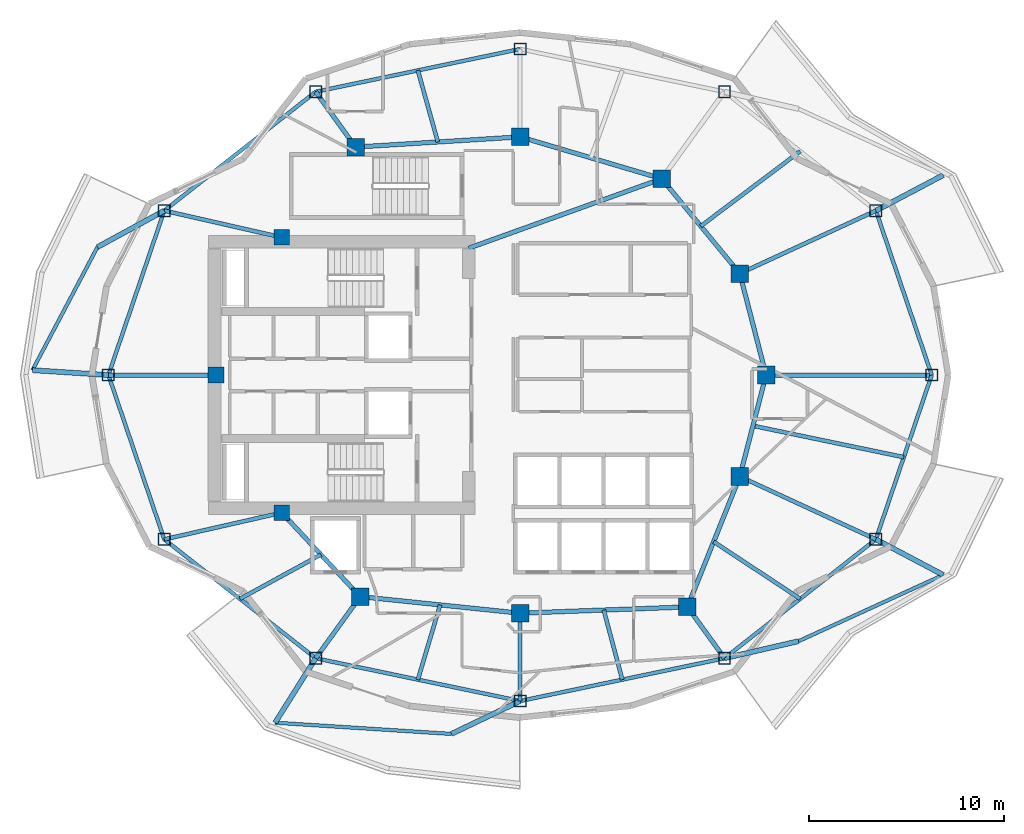
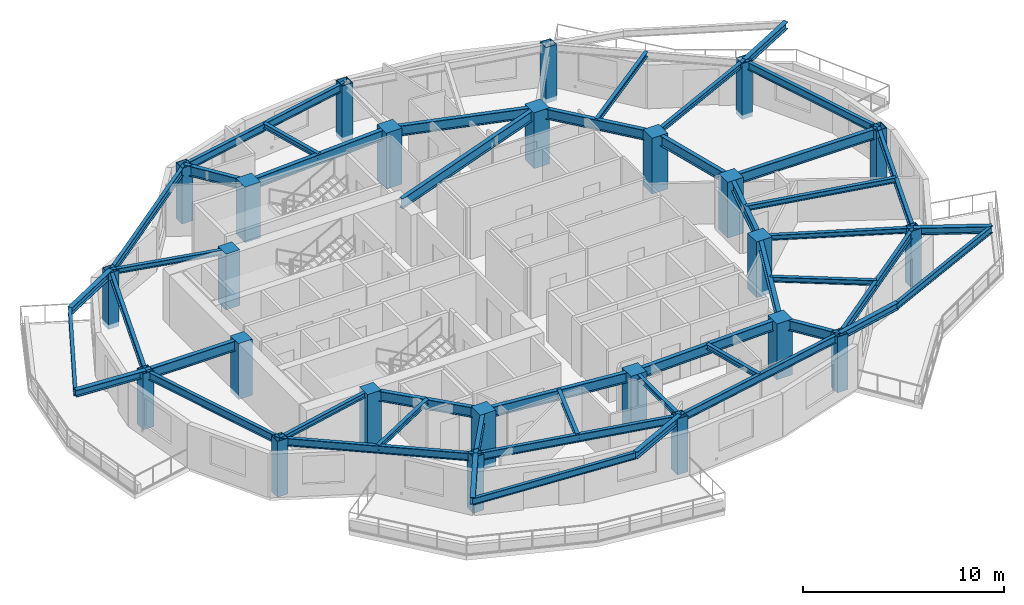
# One storey, part 1 of 10: 47 beams, 24 columns.
"""IFC4 building model written with IfcOpenShell, lengths in metres."""

from ifc_helpers import new_model, si_unit, direction, frame, origin, origin_2d, place, context, subcontext, project, spatial, rectangle, hollow_rectangle, i_section, extrude, material, material_profile, profile_set, type_object, element, save


model = new_model("IFC4")

# Units and contexts
model_context = context("Model", 3, precision=1e-05, world=origin(), true_north=direction((0.0, 1.0)))
body_context = subcontext(model_context, "Body", "Model", "MODEL_VIEW")
ifc_project = project(units=[si_unit("LENGTHUNIT", "METRE"), si_unit("AREAUNIT", "SQUARE_METRE"), si_unit("VOLUMEUNIT", "CUBIC_METRE"), si_unit("PLANEANGLEUNIT", "RADIAN"), si_unit("MASSUNIT", "GRAM", prefix="KILO")], contexts=[model_context])

# Site, building, storey
site_placement = place(None, origin())
site = spatial("IfcSite", under=ifc_project, at=site_placement, CompositionType="ELEMENT")
building_placement = place(site_placement, origin())
building = spatial("IfcBuilding", under=site, at=building_placement, Name="Kolvaren Gate Tower and Convention Centre", CompositionType="ELEMENT")
storey_placement = place(building_placement, frame((0.0, 0.0, 152.89990234375)))
storey = spatial("IfcBuildingStorey", under=building, at=storey_placement, Name="L39", CompositionType="ELEMENT", Elevation=152.89990234375)

# Columns
ifc_material_1 = material(Name="Structural steel ASTM A1085 Grade A 345 MPa", Category="steel")
ifc_material_profile_1 = material_profile(ifc_material_1, hollow_rectangle(XDim=0.610107421875, YDim=0.610107421875, WallThickness=0.025390625, at=origin_2d()), Name="HSS610X610X25.4")
ifc_profile_set_1 = profile_set([ifc_material_profile_1], Name="Structural steel ASTM A1085 Grade A 345 MPa")
column_type_1 = type_object("IfcColumnType", Name="STR-COL-HSS610", PredefinedType="COLUMN", material=ifc_profile_set_1)
for number, where, z_axis, x_axis, name in (
    (1, (51.21240234375, 27.0, -0.27001953125), (0.0, 0.0, 1.0), (1.0, 0.0, 0.0), "Tower L39 Perimeter Supercolumn TP-01"),
    (2, (48.351806640625, 35.418701171875, -0.27001953125), (0.0, 0.0, 1.0), (1.0, 0.0, 0.0), "Tower L39 Perimeter Supercolumn TP-02"),
    (3, (40.596435546875, 41.509521484375, -0.27001953125), (0.0, 0.0, 1.0), (1.0, 0.0, 0.0), "Tower L39 Perimeter Supercolumn TP-03"),
    (4, (30.125, 43.699951171875, -0.27001953125), (0.0, 0.0, 1.0), (1.0, 0.0, 0.0), "Tower L39 Perimeter Supercolumn TP-04"),
    (5, (19.65380859375, 41.509521484375, -0.27001953125), (0.0, 0.0, 1.0), (1.0, 0.0, 0.0), "Tower L39 Perimeter Supercolumn TP-05"),
    (6, (11.898193359375, 35.418701171875, -0.27001953125), (0.0, 0.0, 1.0), (1.0, 0.0, 0.0), "Tower L39 Perimeter Supercolumn TP-06"),
    (7, (9.03759765625, 27.0, -0.27001953125), (0.0, 0.0, 1.0), (1.0, 0.0, 0.0), "Tower L39 Perimeter Supercolumn TP-07"),
    (8, (11.898193359375, 18.581298828125, -0.27001953125), (0.0, 0.0, 1.0), (1.0, 0.0, 0.0), "Tower L39 Perimeter Supercolumn TP-08"),
    (9, (19.653564453125, 12.490478515625, -0.27001953125), (0.0, 0.0, 1.0), (1.0, 0.0, 0.0), "Tower L39 Perimeter Supercolumn TP-09"),
    (10, (30.125, 10.300048828125, -0.27001953125), (0.0, 0.0, 1.0), (1.0, 0.0, 0.0), "Tower L39 Perimeter Supercolumn TP-10"),
    (11, (40.596435546875, 12.490478515625, -0.27001953125), (0.0, 0.0, 1.0), (1.0, 0.0, 0.0), "Tower L39 Perimeter Supercolumn TP-11"),
    (12, (48.351806640625, 18.581298828125, -0.27001953125), (0.0, 0.0, 1.0), (1.0, 0.0, 0.0), "Tower L39 Perimeter Supercolumn TP-12"),
):
    element("IfcColumn", number, at=place(storey_placement, frame(where, z_axis=z_axis, x_axis=x_axis)), inside=storey, type_object=column_type_1, Name=name, PredefinedType="COLUMN", context=body_context, shape_type="SweptSolid", body=[
        extrude(hollow_rectangle(XDim=0.610107421875, YDim=0.610107421875, WallThickness=0.025390625, at=origin_2d()), origin(), (0.0, 0.0, 1.0), 3.400146484375),
    ])
ifc_material_2 = material(Name="Concrete C60/75", Category="concrete")
ifc_material_profile_2 = material_profile(ifc_material_2, rectangle(XDim=0.89990234375, YDim=0.89990234375, at=origin_2d()), Name="RC-COL-900X900")
ifc_profile_set_2 = profile_set([ifc_material_profile_2], Name="Concrete C60/75")
column_type_2 = type_object("IfcColumnType", Name="STR-COL-RC900", PredefinedType="COLUMN", material=ifc_profile_set_2)
for number, where, z_axis, x_axis, name in (
    (13, (42.72509765625, 27.0, -0.27001953125), (0.0, 0.0, 1.0), (1.0, 0.0, 0.0), "Tower L39 Interior Column TI-01"),
    (14, (41.382080078125, 32.199462890625, -0.27001953125), (0.0, 0.0, 1.0), (1.0, 0.0, 0.0), "Tower L39 Interior Column TI-02"),
    (15, (37.381591796875, 37.054931640625, -0.27001953125), (0.0, 0.0, 1.0), (1.0, 0.0, 0.0), "Tower L39 Interior Column TI-03"),
    (16, (30.125, 39.199951171875, -0.27001953125), (0.0, 0.0, 1.0), (1.0, 0.0, 0.0), "Tower L39 Interior Column TI-04"),
    (17, (21.697998046875, 38.6767578125, -0.27001953125), (0.0, 0.0, 1.0), (1.0, 0.0, 0.0), "Tower L39 Interior Column TI-05"),
    (18, (21.93212890625, 15.647705078125, -0.27001953125), (0.0, 0.0, 1.0), (1.0, 0.0, 0.0), "Tower L39 Interior Column TI-06"),
    (19, (30.125, 14.800048828125, -0.27001953125), (0.0, 0.0, 1.0), (1.0, 0.0, 0.0), "Tower L39 Interior Column TI-07"),
    (20, (38.6982421875, 15.12060546875, -0.27001953125), (0.0, 0.0, 1.0), (1.0, 0.0, 0.0), "Tower L39 Interior Column TI-08"),
    (21, (41.382080078125, 21.800537109375, -0.27001953125), (0.0, 0.0, 1.0), (1.0, 0.0, 0.0), "Tower L39 Interior Column TI-09"),
):
    element("IfcColumn", number, at=place(storey_placement, frame(where, z_axis=z_axis, x_axis=x_axis)), inside=storey, type_object=column_type_2, Name=name, PredefinedType="COLUMN", context=body_context, shape_type="SweptSolid", body=[
        extrude(rectangle(XDim=0.89990234375, YDim=0.89990234375, at=origin_2d()), origin(), (0.0, 0.0, 1.0), 3.400146484375),
    ])
ifc_material_profile_3 = material_profile(ifc_material_2, rectangle(XDim=0.800048828125, YDim=0.800048828125, at=origin_2d()), Name="RC-COL-800X800")
ifc_profile_set_3 = profile_set([ifc_material_profile_3], Name="Concrete C60/75")
column_type_3 = type_object("IfcColumnType", Name="STR-PIL-RC800", PredefinedType="PILASTER", material=ifc_profile_set_3)
for number, where, z_axis, x_axis, name in (
    (22, (17.9140625, 34.050048828125, -0.27001953125), (0.0, 0.0, 1.0), (1.0, 0.0, 0.0), "Tower L39 Core Boundary Pilaster TC-05"),
    (23, (14.550048828125, 27.0, -0.27001953125), (0.0, 0.0, 1.0), (1.0, 0.0, 0.0), "Tower L39 Core Boundary Pilaster TC-06"),
    (24, (17.9140625, 19.949951171875, -0.27001953125), (0.0, 0.0, 1.0), (1.0, 0.0, 0.0), "Tower L39 Core Boundary Pilaster TC-07"),
):
    element("IfcColumn", number, at=place(storey_placement, frame(where, z_axis=z_axis, x_axis=x_axis)), inside=storey, type_object=column_type_3, Name=name, PredefinedType="PILASTER", context=body_context, shape_type="SweptSolid", body=[
        extrude(rectangle(XDim=0.800048828125, YDim=0.800048828125, at=origin_2d()), origin(), (0.0, 0.0, 1.0), 3.400146484375),
    ])

# Beams
ifc_material_3 = material(Name="Structural steel ASTM A992 Grade 345 MPa", Category="steel")
ifc_material_profile_4 = material_profile(ifc_material_3, i_section(OverallWidth=0.260009765625, OverallDepth=0.419921875, WebThickness=0.013427734375, FlangeThickness=0.0224609375, at=origin_2d()), Name="W410X132")
ifc_profile_set_4 = profile_set([ifc_material_profile_4], Name="Structural steel ASTM A992 Grade 345 MPa")
beam_type_1 = type_object("IfcBeamType", Name="STR-BM-W410X132", PredefinedType="BEAM", material=ifc_profile_set_4)
for number, where, z_axis, x_axis, name in (
    (25, (48.351806640625, 35.418701171875, 2.920654296875), (0.884317267836, 0.466886463508, 0.0), (-0.466886463508, 0.884317267836, 0.0), "Tower L40 Planted Balcony Outrigger Cantilever BC-1A"),
    (26, (11.898193359375, 35.418701171875, 2.920654296875), (-0.878175335842, -0.47833887519, 0.0), (0.47833887519, -0.878175335842, 0.0), "Tower L40 Planted Balcony Outrigger Cantilever BC-2A"),
    (27, (9.03759765625, 27.0, 2.920654296875), (-0.997967389097, 0.063726684362, 0.0), (-0.063726684362, -0.997967389097, 0.0), "Tower L40 Planted Balcony Outrigger Cantilever BC-2B"),
):
    element("IfcBeam", number, at=place(storey_placement, frame(where, z_axis=z_axis, x_axis=x_axis)), inside=storey, type_object=beam_type_1, Name=name, PredefinedType="BEAM", context=body_context, shape_type="SweptSolid", body=[
        extrude(i_section(OverallWidth=0.260009765625, OverallDepth=0.419921875, WebThickness=0.013427734375, FlangeThickness=0.0224609375, at=origin_2d()), origin(), (0.0, 0.0, 1.0), 3.89990234375),
    ])
beam_1_placement = place(storey_placement, frame((19.653564453125, 12.490478515625, 2.920654296875), z_axis=(-0.532635592703, -0.846344684739, 0.0), x_axis=(0.846344684739, -0.532635592703, 0.0)))
element("IfcBeam", 28, at=beam_1_placement, inside=storey, type_object=beam_type_1, Name="Tower L40 Planted Balcony Outrigger Cantilever BC-3A", PredefinedType="BEAM", context=body_context, shape_type="SweptSolid", body=[
    extrude(i_section(OverallWidth=0.260009765625, OverallDepth=0.419921875, WebThickness=0.013427734375, FlangeThickness=0.0224609375, at=origin_2d()), origin(), (0.0, 0.0, 1.0), 3.899658203125),
])
beam_2_placement = place(storey_placement, frame((30.125, 10.300048828125, 2.920654296875), z_axis=(-0.901728089649, -0.432303657558, 0.0), x_axis=(0.432303657558, -0.901728089649, 0.0)))
element("IfcBeam", 29, at=beam_2_placement, inside=storey, type_object=beam_type_1, Name="Tower L40 Planted Balcony Outrigger Cantilever BC-3B", PredefinedType="BEAM", context=body_context, shape_type="SweptSolid", body=[
    extrude(i_section(OverallWidth=0.260009765625, OverallDepth=0.419921875, WebThickness=0.013427734375, FlangeThickness=0.0224609375, at=origin_2d()), origin(), (0.0, 0.0, 1.0), 3.900146484375),
])
for number, where, z_axis, x_axis, name in (
    (30, (40.596435546875, 12.490478515625, 2.920654296875), (0.974390140605, 0.224864078706, 0.0), (-0.224864078706, 0.974390140605, 0.0), "Tower L40 Planted Balcony Outrigger Cantilever BC-4A"),
    (31, (48.351806640625, 18.581298828125, 2.920654296875), (0.884317267836, -0.466886463508, 0.0), (0.466886463508, 0.884317267836, 0.0), "Tower L40 Planted Balcony Outrigger Cantilever BC-4B"),
):
    element("IfcBeam", number, at=place(storey_placement, frame(where, z_axis=z_axis, x_axis=x_axis)), inside=storey, type_object=beam_type_1, Name=name, PredefinedType="BEAM", context=body_context, shape_type="SweptSolid", body=[
        extrude(i_section(OverallWidth=0.260009765625, OverallDepth=0.419921875, WebThickness=0.013427734375, FlangeThickness=0.0224609375, at=origin_2d()), origin(), (0.0, 0.0, 1.0), 3.89990234375),
    ])
ifc_material_profile_5 = material_profile(ifc_material_3, i_section(OverallWidth=0.22998046875, OverallDepth=0.616943359375, WebThickness=0.01318359375, FlangeThickness=0.022216796875, at=origin_2d()), Name="W610X140")
ifc_profile_set_5 = profile_set([ifc_material_profile_5], Name="Structural steel ASTM A992 Grade 345 MPa")
beam_type_2 = type_object("IfcBeamType", Name="STR-BM-W610X140", PredefinedType="BEAM", material=ifc_profile_set_5)
beam_3_placement = place(storey_placement, frame((42.72509765625, 27.0, 2.821533203125), z_axis=(-0.250091133936, -0.968222301296, 0.0), x_axis=(0.968222301296, -0.250091133936, 0.0)))
element("IfcBeam", 32, at=beam_3_placement, inside=storey, type_object=beam_type_2, Name="Tower L39 Primary Ring Girder G-01", PredefinedType="BEAM", context=body_context, shape_type="SweptSolid", body=[
    extrude(i_section(OverallWidth=0.22998046875, OverallDepth=0.616943359375, WebThickness=0.01318359375, FlangeThickness=0.022216796875, at=origin_2d()), origin(), (0.0, 0.0, 1.0), 5.3701171875),
])
beam_4_placement = place(storey_placement, frame((41.382080078125, 32.199462890625, 2.821533203125), z_axis=(-0.635884066011, 0.771784590798, 0.0), x_axis=(-0.771784590798, -0.635884066011, 0.0)))
element("IfcBeam", 33, at=beam_4_placement, inside=storey, type_object=beam_type_2, Name="Tower L39 Primary Ring Girder G-02", PredefinedType="BEAM", context=body_context, shape_type="SweptSolid", body=[
    extrude(i_section(OverallWidth=0.22998046875, OverallDepth=0.616943359375, WebThickness=0.01318359375, FlangeThickness=0.022216796875, at=origin_2d()), origin(), (0.0, 0.0, 1.0), 6.291259765625),
])
beam_5_placement = place(storey_placement, frame((37.381591796875, 37.054931640625, 2.821533203125), z_axis=(-0.958980837827, 0.283470902706, 0.0), x_axis=(-0.283470902706, -0.958980837827, 0.0)))
element("IfcBeam", 34, at=beam_5_placement, inside=storey, type_object=beam_type_2, Name="Tower L39 Primary Ring Girder G-03", PredefinedType="BEAM", context=body_context, shape_type="SweptSolid", body=[
    extrude(i_section(OverallWidth=0.22998046875, OverallDepth=0.616943359375, WebThickness=0.01318359375, FlangeThickness=0.022216796875, at=origin_2d()), origin(), (0.0, 0.0, 1.0), 7.56689453125),
])
beam_6_placement = place(storey_placement, frame((30.125, 39.199951171875, 2.821533203125), z_axis=(-0.998078258568, -0.06196603726, 0.0), x_axis=(0.06196603726, -0.998078258568, 0.0)))
element("IfcBeam", 35, at=beam_6_placement, inside=storey, type_object=beam_type_2, Name="Tower L39 Primary Ring Girder G-04", PredefinedType="BEAM", context=body_context, shape_type="SweptSolid", body=[
    extrude(i_section(OverallWidth=0.22998046875, OverallDepth=0.616943359375, WebThickness=0.01318359375, FlangeThickness=0.022216796875, at=origin_2d()), origin(), (0.0, 0.0, 1.0), 8.443115234375),
])
beam_7_placement = place(storey_placement, frame((17.9140625, 19.949951171875, 2.821533203125), z_axis=(0.682557592987, -0.730831808459, 0.0), x_axis=(0.730831808459, 0.682557592987, 0.0)))
element("IfcBeam", 36, at=beam_7_placement, inside=storey, type_object=beam_type_2, Name="Tower L39 Primary Ring Girder G-06", PredefinedType="BEAM", context=body_context, shape_type="SweptSolid", body=[
    extrude(i_section(OverallWidth=0.22998046875, OverallDepth=0.616943359375, WebThickness=0.01318359375, FlangeThickness=0.022216796875, at=origin_2d()), origin(), (0.0, 0.0, 1.0), 5.88671875),
])
beam_8_placement = place(storey_placement, frame((21.93212890625, 15.647705078125, 2.821533203125), z_axis=(0.994690329115, -0.102913308978, 0.0), x_axis=(0.102913308978, 0.994690329115, 0.0)))
element("IfcBeam", 37, at=beam_8_placement, inside=storey, type_object=beam_type_2, Name="Tower L39 Primary Ring Girder G-07", PredefinedType="BEAM", context=body_context, shape_type="SweptSolid", body=[
    extrude(i_section(OverallWidth=0.22998046875, OverallDepth=0.616943359375, WebThickness=0.01318359375, FlangeThickness=0.022216796875, at=origin_2d()), origin(), (0.0, 0.0, 1.0), 8.236572265625),
])
beam_9_placement = place(storey_placement, frame((30.125, 14.800048828125, 2.821533203125), z_axis=(0.999301712453, 0.037364254142, 0.0), x_axis=(-0.037364254142, 0.999301712453, 0.0)))
element("IfcBeam", 38, at=beam_9_placement, inside=storey, type_object=beam_type_2, Name="Tower L39 Primary Ring Girder G-08", PredefinedType="BEAM", context=body_context, shape_type="SweptSolid", body=[
    extrude(i_section(OverallWidth=0.22998046875, OverallDepth=0.616943359375, WebThickness=0.01318359375, FlangeThickness=0.022216796875, at=origin_2d()), origin(), (0.0, 0.0, 1.0), 8.579345703125),
])
beam_10_placement = place(storey_placement, frame((38.6982421875, 15.12060546875, 2.821533203125), z_axis=(0.372811100169, 0.927907260232, 0.0), x_axis=(-0.927907260232, 0.372811100169, 0.0)))
element("IfcBeam", 39, at=beam_10_placement, inside=storey, type_object=beam_type_2, Name="Tower L39 Primary Ring Girder G-09", PredefinedType="BEAM", context=body_context, shape_type="SweptSolid", body=[
    extrude(i_section(OverallWidth=0.22998046875, OverallDepth=0.616943359375, WebThickness=0.01318359375, FlangeThickness=0.022216796875, at=origin_2d()), origin(), (0.0, 0.0, 1.0), 7.198974609375),
])
beam_11_placement = place(storey_placement, frame((27.5, 33.5, 2.821533203125), z_axis=(0.940961479908, 0.338513653093, 0.0), x_axis=(-0.338513653093, 0.940961479908, 0.0)))
element("IfcBeam", 40, at=beam_11_placement, inside=storey, type_object=beam_type_2, Name="Tower L39 Primary Ring Girder G-10", PredefinedType="BEAM", context=body_context, shape_type="SweptSolid", body=[
    extrude(i_section(OverallWidth=0.22998046875, OverallDepth=0.616943359375, WebThickness=0.01318359375, FlangeThickness=0.022216796875, at=origin_2d()), origin(), (0.0, 0.0, 1.0), 10.501708984375),
])
beam_12_placement = place(storey_placement, frame((42.72509765625, 27.0, 2.821533203125), z_axis=(-0.250091133936, 0.968222301296, 0.0), x_axis=(-0.968222301296, -0.250091133936, 0.0)))
element("IfcBeam", 41, at=beam_12_placement, inside=storey, type_object=beam_type_2, Name="Tower L39 Primary Ring Girder G-12", PredefinedType="BEAM", context=body_context, shape_type="SweptSolid", body=[
    extrude(i_section(OverallWidth=0.22998046875, OverallDepth=0.616943359375, WebThickness=0.01318359375, FlangeThickness=0.022216796875, at=origin_2d()), origin(), (0.0, 0.0, 1.0), 5.3701171875),
])
beam_13_placement = place(storey_placement, frame((42.72509765625, 27.0, 2.821533203125), z_axis=(1.0, 0.0, 0.0), x_axis=(0.0, 1.0, 0.0)))
element("IfcBeam", 42, at=beam_13_placement, inside=storey, type_object=beam_type_2, Name="Tower L39 Radial Floor Girder RB-01", PredefinedType="BEAM", context=body_context, shape_type="SweptSolid", body=[
    extrude(i_section(OverallWidth=0.22998046875, OverallDepth=0.616943359375, WebThickness=0.01318359375, FlangeThickness=0.022216796875, at=origin_2d()), origin(), (0.0, 0.0, 1.0), 8.4873046875),
])
beam_14_placement = place(storey_placement, frame((21.697998046875, 38.6767578125, 2.821533203125), z_axis=(-0.585171547435, 0.810909526441, 0.0), x_axis=(-0.810909526441, -0.585171547435, 0.0)))
element("IfcBeam", 43, at=beam_14_placement, inside=storey, type_object=beam_type_2, Name="Tower L39 Radial Floor Girder RB-05", PredefinedType="BEAM", context=body_context, shape_type="SweptSolid", body=[
    extrude(i_section(OverallWidth=0.22998046875, OverallDepth=0.616943359375, WebThickness=0.01318359375, FlangeThickness=0.022216796875, at=origin_2d()), origin(), (0.0, 0.0, 1.0), 3.493408203125),
])
beam_15_placement = place(storey_placement, frame((14.550048828125, 27.0, 2.821533203125), z_axis=(-1.0, 0.0, 0.0), x_axis=(0.0, -1.0, 0.0)))
element("IfcBeam", 44, at=beam_15_placement, inside=storey, type_object=beam_type_2, Name="Tower L39 Radial Floor Girder RB-07", PredefinedType="BEAM", context=body_context, shape_type="SweptSolid", body=[
    extrude(i_section(OverallWidth=0.22998046875, OverallDepth=0.616943359375, WebThickness=0.01318359375, FlangeThickness=0.022216796875, at=origin_2d()), origin(), (0.0, 0.0, 1.0), 5.512451171875),
])
beam_16_placement = place(storey_placement, frame((21.93212890625, 15.647705078125, 2.821533203125), z_axis=(-0.585211215329, -0.810880899672, 0.0), x_axis=(0.810880899672, -0.585211215329, 0.0)))
element("IfcBeam", 45, at=beam_16_placement, inside=storey, type_object=beam_type_2, Name="Tower L39 Radial Floor Girder RB-09", PredefinedType="BEAM", context=body_context, shape_type="SweptSolid", body=[
    extrude(i_section(OverallWidth=0.22998046875, OverallDepth=0.616943359375, WebThickness=0.01318359375, FlangeThickness=0.022216796875, at=origin_2d()), origin(), (0.0, 0.0, 1.0), 3.8935546875),
])
beam_17_placement = place(storey_placement, frame((38.6982421875, 15.12060546875, 2.821533203125), z_axis=(0.58521845229, -0.810875676722, 0.0), x_axis=(0.810875676722, 0.58521845229, 0.0)))
element("IfcBeam", 46, at=beam_17_placement, inside=storey, type_object=beam_type_2, Name="Tower L39 Radial Floor Girder RB-11", PredefinedType="BEAM", context=body_context, shape_type="SweptSolid", body=[
    extrude(i_section(OverallWidth=0.22998046875, OverallDepth=0.616943359375, WebThickness=0.01318359375, FlangeThickness=0.022216796875, at=origin_2d()), origin(), (0.0, 0.0, 1.0), 3.24365234375),
])
ifc_material_profile_6 = material_profile(ifc_material_3, i_section(OverallWidth=0.205078125, OverallDepth=0.31005859375, WebThickness=0.009521484375, FlangeThickness=0.016357421875, at=origin_2d()), Name="W310X74")
ifc_profile_set_6 = profile_set([ifc_material_profile_6], Name="Structural steel ASTM A992 Grade 345 MPa")
beam_type_3 = type_object("IfcBeamType", Name="STR-JS-W310X74", PredefinedType="JOIST", material=ifc_profile_set_6)
beam_18_placement = place(storey_placement, frame((41.382080078125, 32.199462890625, 2.97509765625), z_axis=(0.907838349939, 0.419320319542, 0.0), x_axis=(-0.419320319542, 0.907838349939, 0.0)))
element("IfcBeam", 47, at=beam_18_placement, inside=storey, type_object=beam_type_3, Name="Tower L39 Radial Floor Girder RB-02", PredefinedType="JOIST", context=body_context, shape_type="SweptSolid", body=[
    extrude(i_section(OverallWidth=0.205078125, OverallDepth=0.31005859375, WebThickness=0.009521484375, FlangeThickness=0.016357421875, at=origin_2d()), origin(), (0.0, 0.0, 1.0), 7.67724609375),
])
for number, where, z_axis, x_axis, name in (
    (48, (17.9140625, 34.050048828125, 2.97509765625), (-0.975083464295, 0.221838314226, 0.0), (-0.221838314226, -0.975083464295, 0.0), "Tower L39 Radial Floor Girder RB-06"),
    (49, (17.9140625, 19.949951171875, 2.97509765625), (-0.975083464295, -0.221838314226, 0.0), (0.221838314226, -0.975083464295, 0.0), "Tower L39 Radial Floor Girder RB-08"),
):
    element("IfcBeam", number, at=place(storey_placement, frame(where, z_axis=z_axis, x_axis=x_axis)), inside=storey, type_object=beam_type_3, Name=name, PredefinedType="JOIST", context=body_context, shape_type="SweptSolid", body=[
        extrude(i_section(OverallWidth=0.205078125, OverallDepth=0.31005859375, WebThickness=0.009521484375, FlangeThickness=0.016357421875, at=origin_2d()), origin(), (0.0, 0.0, 1.0), 6.169677734375),
    ])
beam_19_placement = place(storey_placement, frame((30.125, 14.800048828125, 2.97509765625), z_axis=(0.0, -1.0, 0.0), x_axis=(1.0, 0.0, 0.0)))
element("IfcBeam", 50, at=beam_19_placement, inside=storey, type_object=beam_type_3, Name="Tower L39 Radial Floor Girder RB-10", PredefinedType="JOIST", context=body_context, shape_type="SweptSolid", body=[
    extrude(i_section(OverallWidth=0.205078125, OverallDepth=0.31005859375, WebThickness=0.009521484375, FlangeThickness=0.016357421875, at=origin_2d()), origin(), (0.0, 0.0, 1.0), 4.5),
])
beam_20_placement = place(storey_placement, frame((41.382080078125, 21.800537109375, 2.97509765625), z_axis=(0.907838349939, -0.419320319542, 0.0), x_axis=(0.419320319542, 0.907838349939, 0.0)))
element("IfcBeam", 51, at=beam_20_placement, inside=storey, type_object=beam_type_3, Name="Tower L39 Radial Floor Girder RB-12", PredefinedType="JOIST", context=body_context, shape_type="SweptSolid", body=[
    extrude(i_section(OverallWidth=0.205078125, OverallDepth=0.31005859375, WebThickness=0.009521484375, FlangeThickness=0.016357421875, at=origin_2d()), origin(), (0.0, 0.0, 1.0), 7.67724609375),
])
beam_21_placement = place(storey_placement, frame((39.3818359375, 34.627197265625, 2.97509765625), z_axis=(0.798665513939, 0.601775204577, 0.0), x_axis=(-0.601775204577, 0.798665513939, 0.0)))
element("IfcBeam", 52, at=beam_21_placement, inside=storey, type_object=beam_type_3, Name="Tower L39 Secondary Composite Floor Joist J-02.1", PredefinedType="JOIST", context=body_context, shape_type="SweptSolid", body=[
    extrude(i_section(OverallWidth=0.205078125, OverallDepth=0.31005859375, WebThickness=0.009521484375, FlangeThickness=0.016357421875, at=origin_2d()), origin(), (0.0, 0.0, 1.0), 6.3759765625),
])
beam_22_placement = place(storey_placement, frame((25.91162109375, 38.938232421875, 2.97509765625), z_axis=(-0.26855678261, 0.963263855085, 0.0), x_axis=(-0.963263855085, -0.26855678261, 0.0)))
element("IfcBeam", 53, at=beam_22_placement, inside=storey, type_object=beam_type_3, Name="Tower L39 Secondary Composite Floor Joist J-04.1", PredefinedType="JOIST", context=body_context, shape_type="SweptSolid", body=[
    extrude(i_section(OverallWidth=0.205078125, OverallDepth=0.31005859375, WebThickness=0.009521484375, FlangeThickness=0.016357421875, at=origin_2d()), origin(), (0.0, 0.0, 1.0), 3.806396484375),
])
beam_23_placement = place(storey_placement, frame((19.923095703125, 17.798828125, 2.97509765625), z_axis=(-0.877822491981, -0.478986088078, 0.0), x_axis=(0.478986088078, -0.877822491981, 0.0)))
element("IfcBeam", 54, at=beam_23_placement, inside=storey, type_object=beam_type_3, Name="Tower L39 Secondary Composite Floor Joist J-08.1", PredefinedType="JOIST", context=body_context, shape_type="SweptSolid", body=[
    extrude(i_section(OverallWidth=0.205078125, OverallDepth=0.31005859375, WebThickness=0.009521484375, FlangeThickness=0.016357421875, at=origin_2d()), origin(), (0.0, 0.0, 1.0), 4.724365234375),
])
beam_24_placement = place(storey_placement, frame((26.028564453125, 15.223876953125, 2.97509765625), z_axis=(-0.28518274301, -0.958473162425, 0.0), x_axis=(0.958473162425, -0.28518274301, 0.0)))
element("IfcBeam", 55, at=beam_24_placement, inside=storey, type_object=beam_type_3, Name="Tower L39 Secondary Composite Floor Joist J-09.1", PredefinedType="JOIST", context=body_context, shape_type="SweptSolid", body=[
    extrude(i_section(OverallWidth=0.205078125, OverallDepth=0.31005859375, WebThickness=0.009521484375, FlangeThickness=0.016357421875, at=origin_2d()), origin(), (0.0, 0.0, 1.0), 3.994384765625),
])
beam_25_placement = place(storey_placement, frame((34.41162109375, 14.960205078125, 2.97509765625), z_axis=(0.257238365181, -0.966347982602, 0.0), x_axis=(0.966347982602, 0.257238365181, 0.0)))
element("IfcBeam", 56, at=beam_25_placement, inside=storey, type_object=beam_type_3, Name="Tower L39 Secondary Composite Floor Joist J-10.1", PredefinedType="JOIST", context=body_context, shape_type="SweptSolid", body=[
    extrude(i_section(OverallWidth=0.205078125, OverallDepth=0.31005859375, WebThickness=0.009521484375, FlangeThickness=0.016357421875, at=origin_2d()), origin(), (0.0, 0.0, 1.0), 3.68896484375),
])
beam_26_placement = place(storey_placement, frame((40.040283203125, 18.46044921875, 2.97509765625), z_axis=(0.834762790112, -0.550609738602, 0.0), x_axis=(0.550609738602, 0.834762790112, 0.0)))
element("IfcBeam", 57, at=beam_26_placement, inside=storey, type_object=beam_type_3, Name="Tower L39 Secondary Composite Floor Joist J-11.1", PredefinedType="JOIST", context=body_context, shape_type="SweptSolid", body=[
    extrude(i_section(OverallWidth=0.205078125, OverallDepth=0.31005859375, WebThickness=0.009521484375, FlangeThickness=0.016357421875, at=origin_2d()), origin(), (0.0, 0.0, 1.0), 5.3115234375),
])
beam_27_placement = place(storey_placement, frame((42.0537109375, 24.400146484375, 2.97509765625), z_axis=(0.978997655145, -0.203871506641, 0.0), x_axis=(0.203871506641, 0.978997655145, 0.0)))
element("IfcBeam", 58, at=beam_27_placement, inside=storey, type_object=beam_type_3, Name="Tower L39 Secondary Composite Floor Joist J-12.1", PredefinedType="JOIST", context=body_context, shape_type="SweptSolid", body=[
    extrude(i_section(OverallWidth=0.205078125, OverallDepth=0.31005859375, WebThickness=0.009521484375, FlangeThickness=0.016357421875, at=origin_2d()), origin(), (0.0, 0.0, 1.0), 7.89404296875),
])
ifc_material_profile_7 = material_profile(ifc_material_3, i_section(OverallWidth=0.180908203125, OverallDepth=0.4169921875, WebThickness=0.010986328125, FlangeThickness=0.018310546875, at=origin_2d()), Name="W410X85")
ifc_profile_set_7 = profile_set([ifc_material_profile_7], Name="Structural steel ASTM A992 Grade 345 MPa")
beam_type_4 = type_object("IfcBeamType", Name="STR-SP-W410X85", PredefinedType="SPANDREL", material=ifc_profile_set_7)
beam_28_placement = place(storey_placement, frame((8.473388671875, 33.55322265625, 2.922119140625), z_axis=(-0.466803260322, -0.884361191003, 0.0), x_axis=(0.884361191003, -0.466803260322, 0.0)))
element("IfcBeam", 59, at=beam_28_placement, inside=storey, type_object=beam_type_4, Name="Tower L40 Planted Balcony Header Tie Beam BT-2", PredefinedType="SPANDREL", context=body_context, shape_type="SweptSolid", body=[
    extrude(i_section(OverallWidth=0.180908203125, OverallDepth=0.4169921875, WebThickness=0.010986328125, FlangeThickness=0.018310546875, at=origin_2d()), origin(), (0.0, 0.0, 1.0), 7.129150390625),
])
beam_29_placement = place(storey_placement, frame((17.576416015625, 9.18994140625, 2.922119140625), z_axis=(0.997973058085, -0.063637845165, 0.0), x_axis=(0.063637845165, 0.997973058085, 0.0)))
element("IfcBeam", 60, at=beam_29_placement, inside=storey, type_object=beam_type_4, Name="Tower L40 Planted Balcony Header Tie Beam BT-3", PredefinedType="SPANDREL", context=body_context, shape_type="SweptSolid", body=[
    extrude(i_section(OverallWidth=0.180908203125, OverallDepth=0.4169921875, WebThickness=0.010986328125, FlangeThickness=0.018310546875, at=origin_2d()), origin(), (0.0, 0.0, 1.0), 9.050048828125),
])
beam_30_placement = place(storey_placement, frame((44.396484375, 13.367431640625, 2.922119140625), z_axis=(0.909086110351, 0.416608262, 0.0), x_axis=(-0.416608262, 0.909086110351, 0.0)))
element("IfcBeam", 61, at=beam_30_placement, inside=storey, type_object=beam_type_4, Name="Tower L40 Planted Balcony Header Tie Beam BT-4", PredefinedType="SPANDREL", context=body_context, shape_type="SweptSolid", body=[
    extrude(i_section(OverallWidth=0.180908203125, OverallDepth=0.4169921875, WebThickness=0.010986328125, FlangeThickness=0.018310546875, at=origin_2d()), origin(), (0.0, 0.0, 1.0), 8.14453125),
])
ifc_material_profile_8 = material_profile(ifc_material_3, i_section(OverallWidth=0.194091796875, OverallDepth=0.468994140625, WebThickness=0.0126953125, FlangeThickness=0.0205078125, at=origin_2d()), Name="W460X106")
ifc_profile_set_8 = profile_set([ifc_material_profile_8], Name="Structural steel ASTM A992 Grade 345 MPa")
beam_type_5 = type_object("IfcBeamType", Name="STR-SP-W460X106", PredefinedType="SPANDREL", material=ifc_profile_set_8)
beam_31_placement = place(storey_placement, frame((51.21240234375, 27.0, 2.8955078125), z_axis=(-0.321725023609, 0.946833147489, 0.0), x_axis=(-0.946833147489, -0.321725023609, 0.0)))
element("IfcBeam", 62, at=beam_31_placement, inside=storey, type_object=beam_type_5, Name="Tower L39 Perimeter Spandrel Beam SP-01", PredefinedType="SPANDREL", context=body_context, shape_type="SweptSolid", body=[
    extrude(i_section(OverallWidth=0.194091796875, OverallDepth=0.468994140625, WebThickness=0.0126953125, FlangeThickness=0.0205078125, at=origin_2d()), origin(), (0.0, 0.0, 1.0), 8.891357421875),
])
beam_32_placement = place(storey_placement, frame((30.125, 43.699951171875, 2.8955078125), z_axis=(-0.978813393389, -0.204754342865, 0.0), x_axis=(0.204754342865, -0.978813393389, 0.0)))
element("IfcBeam", 63, at=beam_32_placement, inside=storey, type_object=beam_type_5, Name="Tower L39 Perimeter Spandrel Beam SP-04", PredefinedType="SPANDREL", context=body_context, shape_type="SweptSolid", body=[
    extrude(i_section(OverallWidth=0.194091796875, OverallDepth=0.468994140625, WebThickness=0.0126953125, FlangeThickness=0.0205078125, at=origin_2d()), origin(), (0.0, 0.0, 1.0), 10.69775390625),
])
beam_33_placement = place(storey_placement, frame((19.65380859375, 41.509521484375, 2.8955078125), z_axis=(-0.786460066421, -0.617641128752, 0.0), x_axis=(0.617641128752, -0.786460066421, 0.0)))
element("IfcBeam", 64, at=beam_33_placement, inside=storey, type_object=beam_type_5, Name="Tower L39 Perimeter Spandrel Beam SP-05", PredefinedType="SPANDREL", context=body_context, shape_type="SweptSolid", body=[
    extrude(i_section(OverallWidth=0.194091796875, OverallDepth=0.468994140625, WebThickness=0.0126953125, FlangeThickness=0.0205078125, at=origin_2d()), origin(), (0.0, 0.0, 1.0), 9.861328125),
])
for number, where, z_axis, x_axis, name in (
    (65, (11.898193359375, 35.418701171875, 2.8955078125), (-0.321725023609, -0.946833147489, 0.0), (0.946833147489, -0.321725023609, 0.0), "Tower L39 Perimeter Spandrel Beam SP-06"),
    (66, (9.03759765625, 27.0, 2.8955078125), (0.321725023609, -0.946833147489, 0.0), (0.946833147489, 0.321725023609, 0.0), "Tower L39 Perimeter Spandrel Beam SP-07"),
):
    element("IfcBeam", number, at=place(storey_placement, frame(where, z_axis=z_axis, x_axis=x_axis)), inside=storey, type_object=beam_type_5, Name=name, PredefinedType="SPANDREL", context=body_context, shape_type="SweptSolid", body=[
        extrude(i_section(OverallWidth=0.194091796875, OverallDepth=0.468994140625, WebThickness=0.0126953125, FlangeThickness=0.0205078125, at=origin_2d()), origin(), (0.0, 0.0, 1.0), 8.891357421875),
    ])
beam_34_placement = place(storey_placement, frame((11.898193359375, 18.581298828125, 2.8955078125), z_axis=(0.786450621777, -0.617653154697, 0.0), x_axis=(0.617653154697, 0.786450621777, 0.0)))
element("IfcBeam", 67, at=beam_34_placement, inside=storey, type_object=beam_type_5, Name="Tower L39 Perimeter Spandrel Beam SP-08", PredefinedType="SPANDREL", context=body_context, shape_type="SweptSolid", body=[
    extrude(i_section(OverallWidth=0.194091796875, OverallDepth=0.468994140625, WebThickness=0.0126953125, FlangeThickness=0.0205078125, at=origin_2d()), origin(), (0.0, 0.0, 1.0), 9.861328125),
])
for number, where, z_axis, x_axis, name in (
    (68, (19.653564453125, 12.490478515625, 2.8955078125), (0.978814350133, -0.204749769168, 0.0), (0.204749769168, 0.978814350133, 0.0), "Tower L39 Perimeter Spandrel Beam SP-09"),
    (69, (30.125, 10.300048828125, 2.8955078125), (0.978814350133, 0.204749769168, 0.0), (-0.204749769168, 0.978814350133, 0.0), "Tower L39 Perimeter Spandrel Beam SP-10"),
):
    element("IfcBeam", number, at=place(storey_placement, frame(where, z_axis=z_axis, x_axis=x_axis)), inside=storey, type_object=beam_type_5, Name=name, PredefinedType="SPANDREL", context=body_context, shape_type="SweptSolid", body=[
        extrude(i_section(OverallWidth=0.194091796875, OverallDepth=0.468994140625, WebThickness=0.0126953125, FlangeThickness=0.0205078125, at=origin_2d()), origin(), (0.0, 0.0, 1.0), 10.697998046875),
    ])
beam_35_placement = place(storey_placement, frame((40.596435546875, 12.490478515625, 2.8955078125), z_axis=(0.786450621777, 0.617653154697, 0.0), x_axis=(-0.617653154697, 0.786450621777, 0.0)))
element("IfcBeam", 70, at=beam_35_placement, inside=storey, type_object=beam_type_5, Name="Tower L39 Perimeter Spandrel Beam SP-11", PredefinedType="SPANDREL", context=body_context, shape_type="SweptSolid", body=[
    extrude(i_section(OverallWidth=0.194091796875, OverallDepth=0.468994140625, WebThickness=0.0126953125, FlangeThickness=0.0205078125, at=origin_2d()), origin(), (0.0, 0.0, 1.0), 9.861328125),
])
beam_36_placement = place(storey_placement, frame((48.351806640625, 18.581298828125, 2.8955078125), z_axis=(0.321725023609, 0.946833147489, 0.0), x_axis=(-0.946833147489, 0.321725023609, 0.0)))
element("IfcBeam", 71, at=beam_36_placement, inside=storey, type_object=beam_type_5, Name="Tower L39 Perimeter Spandrel Beam SP-12", PredefinedType="SPANDREL", context=body_context, shape_type="SweptSolid", body=[
    extrude(i_section(OverallWidth=0.194091796875, OverallDepth=0.468994140625, WebThickness=0.0126953125, FlangeThickness=0.0205078125, at=origin_2d()), origin(), (0.0, 0.0, 1.0), 8.891357421875),
])

save(model, "model.ifc")
